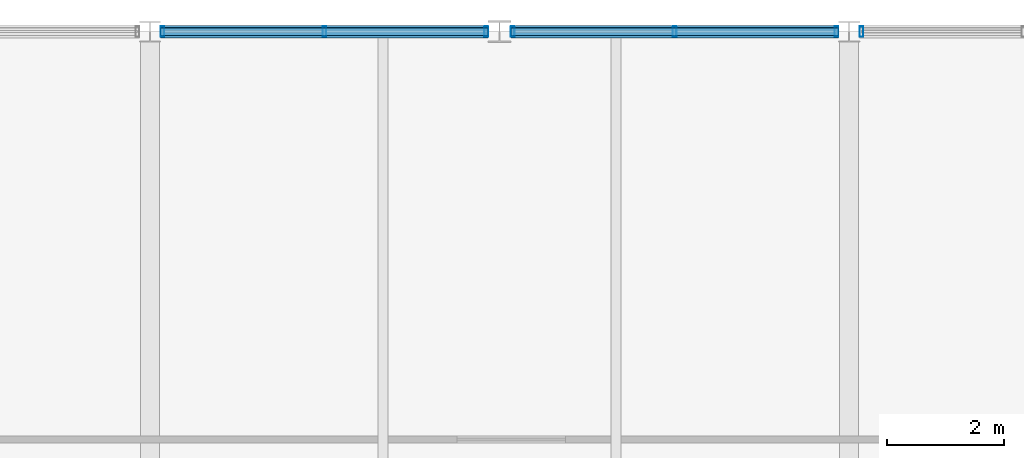
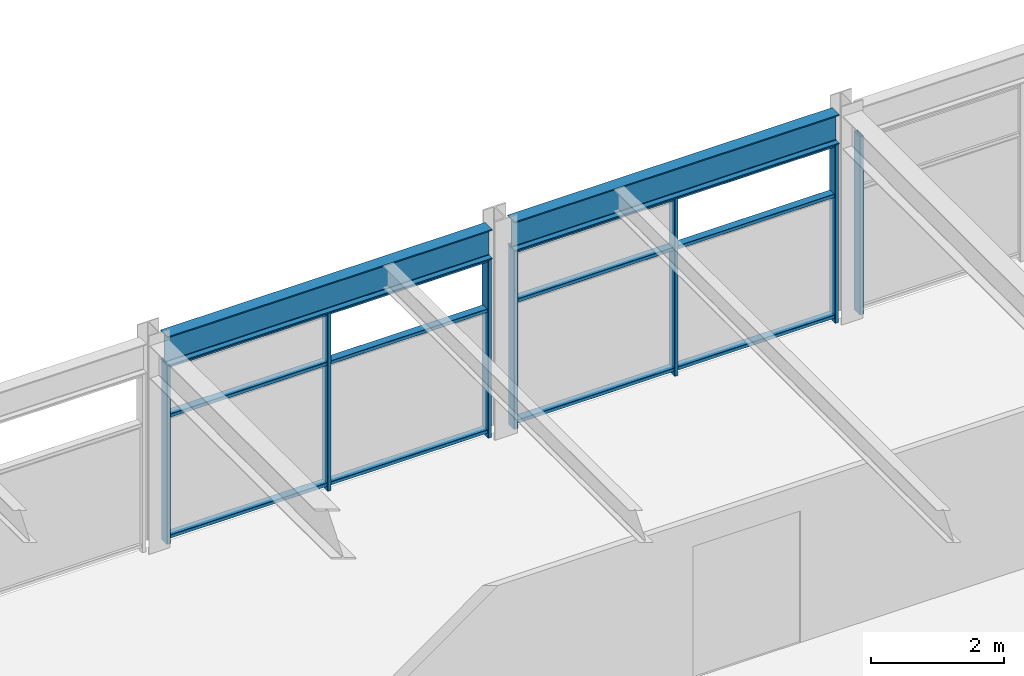
# One storey, part 23 of 40: 13 members, 2 beams, 3 elements without a shape of their own.
"""IFC4 building model written with IfcOpenShell, lengths in metres."""

from ifc_helpers import new_model, si_unit, direction, frame, origin, origin_2d, place, context, subcontext, project, spatial, hollow_rectangle, i_section, extrude, material, material_profile, profile_set, type_object, element, aggregate, save


model = new_model("IFC4")

# Units and contexts
model_context = context("Model", 3, precision=1e-05, world=origin(), true_north=direction((0.0, 1.0)))
body_context = subcontext(model_context, "Body", "Model", "MODEL_VIEW")
ifc_project = project(units=[si_unit("LENGTHUNIT", "METRE"), si_unit("AREAUNIT", "SQUARE_METRE"), si_unit("VOLUMEUNIT", "CUBIC_METRE"), si_unit("PLANEANGLEUNIT", "RADIAN"), si_unit("MASSUNIT", "GRAM", prefix="KILO")], contexts=[model_context])

# Site, building, storey
site_placement = place(None, origin())
site = spatial("IfcSite", under=ifc_project, at=site_placement, CompositionType="ELEMENT")
building_placement = place(site_placement, origin())
building = spatial("IfcBuilding", under=site, at=building_placement, Name="Girod Span Mobility Hub", CompositionType="ELEMENT")
storey_placement = place(building_placement, frame((0.0, 0.0, 53.60009765625)))
storey = spatial("IfcBuildingStorey", under=building, at=storey_placement, Name="L13", CompositionType="ELEMENT", Elevation=53.60009765625)

# Beams
ifc_material_1 = material(Name="Steel A992 Grade 50", Category="steel")
ifc_material_profile_1 = material_profile(ifc_material_1, i_section(OverallWidth=0.2119140625, OverallDepth=0.5439453125, WebThickness=0.01318359375, FlangeThickness=0.021240234375, FilletRadius=0.014892578125, at=origin_2d()), Name="W21X83")
ifc_profile_set_1 = profile_set([ifc_material_profile_1], Name="Steel A992 Grade 50")
beam_type = type_object("IfcBeamType", Name="BM-STL-W21X83", PredefinedType="SPANDREL", material=ifc_profile_set_1)
for number, where, z_axis, x_axis, name in (
    (1, (84.181396484375, 69.0, 3.54296875), (1.0, 0.0, 0.0), (0.0, 1.0, 0.0), "Spandrel Beam 8-9/F-W L13"),
    (2, (90.194091796875, 69.0, 3.54296875), (1.0, 0.0, 0.0), (0.0, 1.0, 0.0), "Spandrel Beam 8-9/F-E L13"),
):
    element("IfcBeam", number, at=place(storey_placement, frame(where, z_axis=z_axis, x_axis=x_axis)), inside=storey, type_object=beam_type, Name=name, PredefinedType="SPANDREL", context=body_context, shape_type="SweptSolid", body=[
        extrude(i_section(OverallWidth=0.2119140625, OverallDepth=0.5439453125, WebThickness=0.01318359375, FlangeThickness=0.021240234375, FilletRadius=0.014892578125, at=origin_2d()), origin(), (0.0, 0.0, 1.0), 5.62451171875),
    ])

# Curtain wall, members
ifc_material_2 = material(Name="Thermally Broken Anodised Aluminium", Category="aluminium")
curtain_wall_type = type_object("IfcCurtainWallType", Name="CW-562X327", PredefinedType="USERDEFINED", material=ifc_material_2)
curtain_wall_1_placement = place(storey_placement, origin())
curtain_wall_1 = element("IfcCurtainWall", 3, at=curtain_wall_1_placement, inside=storey, type_object=curtain_wall_type, Name="Unitised Curtain Wall CW-L13-N08W L13", ObjectType="UNITISED CURTAIN WALL", PredefinedType="USERDEFINED")
ifc_material_3 = material(Name="Thermally Broken Anodised Aluminium", Category="aluminium")
ifc_material_profile_2 = material_profile(ifc_material_3, hollow_rectangle(XDim=0.179931640625, YDim=0.06494140625, WallThickness=0.00390625, InnerFilletRadius=0.00390625, OuterFilletRadius=0.008056640625, at=origin_2d()), Name="CW-ML-65X180")
ifc_profile_set_2 = profile_set([ifc_material_profile_2], Name="Thermally Broken Anodised Aluminium")
member_type_1 = type_object("IfcMemberType", Name="CWM-ML-2", PredefinedType="MULLION", material=ifc_profile_set_2)
member_1_placement = place(storey_placement, frame((84.214599609375, 69.0, 0.0), z_axis=(0.0, 0.0, 1.0), x_axis=(0.0, 1.0, 0.0)))
member_1 = element("IfcMember", 4, at=member_1_placement, type_object=member_type_1, Name="Curtain Wall Mullion CW-L13-N08W-M0", PredefinedType="MULLION", context=body_context, shape_type="SweptSolid", body=[
    extrude(hollow_rectangle(XDim=0.179931640625, YDim=0.06494140625, WallThickness=0.00390625, InnerFilletRadius=0.00390625, OuterFilletRadius=0.008056640625, at=origin_2d()), origin(), (0.0, 0.0, 1.0), 3.27099609375),
])
member_2_placement = place(storey_placement, frame((86.993896484375, 69.0, 0.0), z_axis=(0.0, 0.0, 1.0), x_axis=(0.0, 1.0, 0.0)))
member_2 = element("IfcMember", 5, at=member_2_placement, type_object=member_type_1, Name="Curtain Wall Mullion CW-L13-N08W-M1", PredefinedType="MULLION", context=body_context, shape_type="SweptSolid", body=[
    extrude(hollow_rectangle(XDim=0.179931640625, YDim=0.06494140625, WallThickness=0.00390625, InnerFilletRadius=0.00390625, OuterFilletRadius=0.008056640625, at=origin_2d()), origin(), (0.0, 0.0, 1.0), 3.27099609375),
])
member_3_placement = place(storey_placement, frame((89.77294921875, 69.0, 0.0), z_axis=(0.0, 0.0, 1.0), x_axis=(0.0, 1.0, 0.0)))
member_3 = element("IfcMember", 6, at=member_3_placement, type_object=member_type_1, Name="Curtain Wall Mullion CW-L13-N08W-M2", PredefinedType="MULLION", context=body_context, shape_type="SweptSolid", body=[
    extrude(hollow_rectangle(XDim=0.179931640625, YDim=0.06494140625, WallThickness=0.00390625, InnerFilletRadius=0.00390625, OuterFilletRadius=0.008056640625, at=origin_2d()), origin(), (0.0, 0.0, 1.0), 3.27099609375),
])

curtain_wall_2_placement = place(storey_placement, origin())
curtain_wall_2 = element("IfcCurtainWall", 7, at=curtain_wall_2_placement, inside=storey, type_object=curtain_wall_type, Name="Unitised Curtain Wall CW-L13-N08E L13", ObjectType="UNITISED CURTAIN WALL", PredefinedType="USERDEFINED")
member_4_placement = place(storey_placement, frame((90.22705078125, 69.0, 0.0), z_axis=(0.0, 0.0, 1.0), x_axis=(0.0, 1.0, 0.0)))
member_4 = element("IfcMember", 8, at=member_4_placement, type_object=member_type_1, Name="Curtain Wall Mullion CW-L13-N08E-M0", PredefinedType="MULLION", context=body_context, shape_type="SweptSolid", body=[
    extrude(hollow_rectangle(XDim=0.179931640625, YDim=0.06494140625, WallThickness=0.00390625, InnerFilletRadius=0.00390625, OuterFilletRadius=0.008056640625, at=origin_2d()), origin(), (0.0, 0.0, 1.0), 3.27099609375),
])
member_5_placement = place(storey_placement, frame((93.006103515625, 69.0, 0.0), z_axis=(0.0, 0.0, 1.0), x_axis=(0.0, 1.0, 0.0)))
member_5 = element("IfcMember", 9, at=member_5_placement, type_object=member_type_1, Name="Curtain Wall Mullion CW-L13-N08E-M1", PredefinedType="MULLION", context=body_context, shape_type="SweptSolid", body=[
    extrude(hollow_rectangle(XDim=0.179931640625, YDim=0.06494140625, WallThickness=0.00390625, InnerFilletRadius=0.00390625, OuterFilletRadius=0.008056640625, at=origin_2d()), origin(), (0.0, 0.0, 1.0), 3.27099609375),
])
member_6_placement = place(storey_placement, frame((95.785400390625, 69.0, 0.0), z_axis=(0.0, 0.0, 1.0), x_axis=(0.0, 1.0, 0.0)))
member_6 = element("IfcMember", 10, at=member_6_placement, type_object=member_type_1, Name="Curtain Wall Mullion CW-L13-N08E-M2", PredefinedType="MULLION", context=body_context, shape_type="SweptSolid", body=[
    extrude(hollow_rectangle(XDim=0.179931640625, YDim=0.06494140625, WallThickness=0.00390625, InnerFilletRadius=0.00390625, OuterFilletRadius=0.008056640625, at=origin_2d()), origin(), (0.0, 0.0, 1.0), 3.27099609375),
])

# Curtain wall, member
curtain_wall_3_placement = place(storey_placement, origin())
curtain_wall_3 = element("IfcCurtainWall", 11, at=curtain_wall_3_placement, inside=storey, type_object=curtain_wall_type, Name="Unitised Curtain Wall CW-L13-N09W L13", ObjectType="UNITISED CURTAIN WALL", PredefinedType="USERDEFINED")
member_7_placement = place(storey_placement, frame((96.214599609375, 69.0, 0.0), z_axis=(0.0, 0.0, 1.0), x_axis=(0.0, 1.0, 0.0)))
member_7 = element("IfcMember", 12, at=member_7_placement, type_object=member_type_1, Name="Curtain Wall Mullion CW-L13-N09W-M0", PredefinedType="MULLION", context=body_context, shape_type="SweptSolid", body=[
    extrude(hollow_rectangle(XDim=0.179931640625, YDim=0.06494140625, WallThickness=0.00390625, InnerFilletRadius=0.00390625, OuterFilletRadius=0.008056640625, at=origin_2d()), origin(), (0.0, 0.0, 1.0), 3.27099609375),
])
aggregate(curtain_wall_3, [member_7])

# Member
ifc_material_4 = material(Name="Thermally Broken Anodised Aluminium", Category="aluminium")
ifc_material_profile_3 = material_profile(ifc_material_4, hollow_rectangle(XDim=0.135009765625, YDim=0.06494140625, WallThickness=0.00390625, InnerFilletRadius=0.00390625, OuterFilletRadius=0.008056640625, at=origin_2d()), Name="CW-TR-65X135")
ifc_profile_set_3 = profile_set([ifc_material_profile_3], Name="Thermally Broken Anodised Aluminium")
member_type_2 = type_object("IfcMemberType", Name="CWM-TR-2", PredefinedType="USERDEFINED", material=ifc_profile_set_3)
member_8_placement = place(storey_placement, frame((84.1826171875, 69.0, 0.107421875), z_axis=(1.0, 0.0, 0.0), x_axis=(0.0, 1.0, 0.0)))
member_8 = element("IfcMember", 13, at=member_8_placement, type_object=member_type_2, Name="Curtain Wall Transom CW-L13-N08W-T1", ObjectType="TRANSOM", PredefinedType="USERDEFINED", context=body_context, shape_type="SweptSolid", body=[
    extrude(hollow_rectangle(XDim=0.135009765625, YDim=0.06494140625, WallThickness=0.00390625, InnerFilletRadius=0.00390625, OuterFilletRadius=0.008056640625, at=origin_2d()), origin(), (0.0, 0.0, 1.0), 5.622314453125),
])

member_9_placement = place(storey_placement, frame((84.1826171875, 69.0, 2.322509765625), z_axis=(1.0, 0.0, 0.0), x_axis=(0.0, 1.0, 0.0)))
member_9 = element("IfcMember", 14, at=member_9_placement, type_object=member_type_2, Name="Curtain Wall Transom CW-L13-N08W-T2", ObjectType="TRANSOM", PredefinedType="USERDEFINED", context=body_context, shape_type="SweptSolid", body=[
    extrude(hollow_rectangle(XDim=0.135009765625, YDim=0.06494140625, WallThickness=0.00390625, InnerFilletRadius=0.00390625, OuterFilletRadius=0.008056640625, at=origin_2d()), origin(), (0.0, 0.0, 1.0), 5.622314453125),
])

member_10_placement = place(storey_placement, frame((84.1826171875, 69.0, 3.23828125), z_axis=(1.0, 0.0, 0.0), x_axis=(0.0, 1.0, 0.0)))
member_10 = element("IfcMember", 15, at=member_10_placement, type_object=member_type_2, Name="Curtain Wall Transom CW-L13-N08W-T3", ObjectType="TRANSOM", PredefinedType="USERDEFINED", context=body_context, shape_type="SweptSolid", body=[
    extrude(hollow_rectangle(XDim=0.135009765625, YDim=0.06494140625, WallThickness=0.00390625, InnerFilletRadius=0.00390625, OuterFilletRadius=0.008056640625, at=origin_2d()), origin(), (0.0, 0.0, 1.0), 5.622314453125),
])

aggregate(curtain_wall_1, [member_1, member_2, member_3, member_8, member_9, member_10])

member_11_placement = place(storey_placement, frame((90.195068359375, 69.0, 0.107421875), z_axis=(1.0, 0.0, 0.0), x_axis=(0.0, 1.0, 0.0)))
member_11 = element("IfcMember", 16, at=member_11_placement, type_object=member_type_2, Name="Curtain Wall Transom CW-L13-N08E-T1", ObjectType="TRANSOM", PredefinedType="USERDEFINED", context=body_context, shape_type="SweptSolid", body=[
    extrude(hollow_rectangle(XDim=0.135009765625, YDim=0.06494140625, WallThickness=0.00390625, InnerFilletRadius=0.00390625, OuterFilletRadius=0.008056640625, at=origin_2d()), origin(), (0.0, 0.0, 1.0), 5.622314453125),
])

member_12_placement = place(storey_placement, frame((90.195068359375, 69.0, 2.322509765625), z_axis=(1.0, 0.0, 0.0), x_axis=(0.0, 1.0, 0.0)))
member_12 = element("IfcMember", 17, at=member_12_placement, type_object=member_type_2, Name="Curtain Wall Transom CW-L13-N08E-T2", ObjectType="TRANSOM", PredefinedType="USERDEFINED", context=body_context, shape_type="SweptSolid", body=[
    extrude(hollow_rectangle(XDim=0.135009765625, YDim=0.06494140625, WallThickness=0.00390625, InnerFilletRadius=0.00390625, OuterFilletRadius=0.008056640625, at=origin_2d()), origin(), (0.0, 0.0, 1.0), 5.622314453125),
])

member_13_placement = place(storey_placement, frame((90.195068359375, 69.0, 3.23828125), z_axis=(1.0, 0.0, 0.0), x_axis=(0.0, 1.0, 0.0)))
member_13 = element("IfcMember", 18, at=member_13_placement, type_object=member_type_2, Name="Curtain Wall Transom CW-L13-N08E-T3", ObjectType="TRANSOM", PredefinedType="USERDEFINED", context=body_context, shape_type="SweptSolid", body=[
    extrude(hollow_rectangle(XDim=0.135009765625, YDim=0.06494140625, WallThickness=0.00390625, InnerFilletRadius=0.00390625, OuterFilletRadius=0.008056640625, at=origin_2d()), origin(), (0.0, 0.0, 1.0), 5.622314453125),
])

aggregate(curtain_wall_2, [member_4, member_5, member_6, member_11, member_12, member_13])

save(model, "model.ifc")
